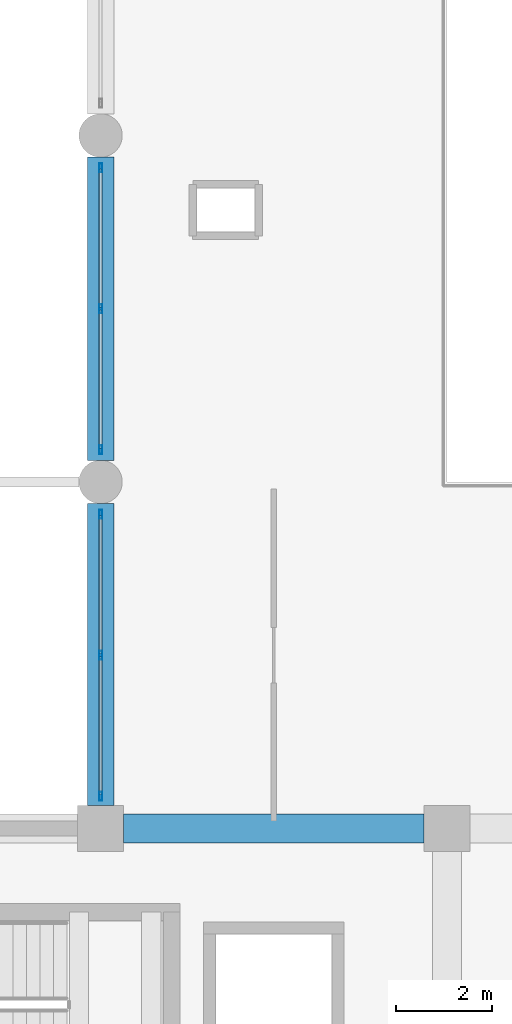
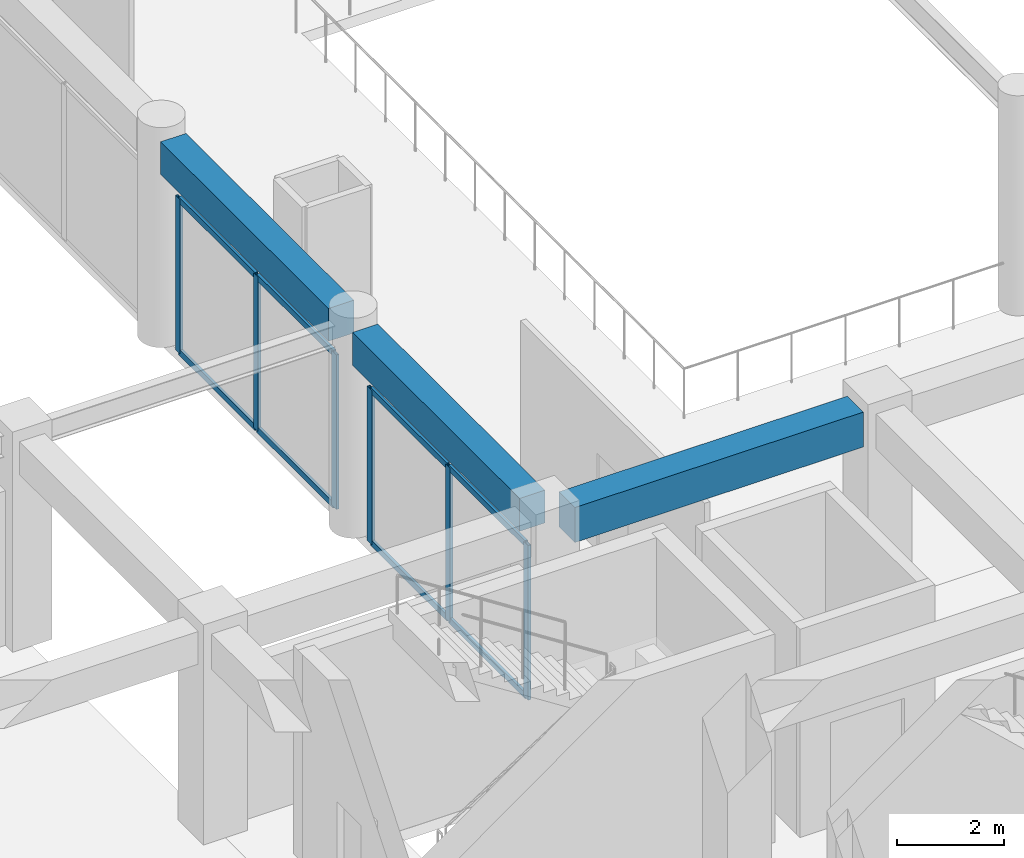
# One storey, part 7 of 54: 14 members, 3 beams, 2 elements without a shape of their own.
"""IFC4 building model written with IfcOpenShell, lengths in metres."""

import ifcopenshell
import ifcopenshell.guid

model = None  # the IFC model being written
_history = None  # IfcOwnerHistory: only IFC2X3 demands one
_inside = {}  # id of a spatial element -> (the spatial element, [elements in it])
_under = {}  # id of a project, library or spatial element -> (it, [spatial elements below it])
_declared = {}  # id of a project -> (the project, [libraries it declares])
_typed = {}  # id of a type object -> (the type object, [elements of that type])
_made_of = {}  # id of a material, layer set ... -> (it, [elements and type objects made of it])


def new_model(schema):
    """Start an empty IFC model of exactly this schema.

    Asked for "IFC4X3", IfcOpenShell would pick the latest addendum, in which some entities
    have other attributes; the version numbers below select the first issue.
    IFC2X3 requires an IfcOwnerHistory on every rooted entity: one is made here for all.
    """
    global model, _history
    if schema == "IFC4X3":
        model = ifcopenshell.file(schema_version=(4, 3, 0, 0))
    else:
        model = ifcopenshell.file(schema=schema)
    _inside.clear()
    _under.clear()
    _declared.clear()
    _typed.clear()
    _made_of.clear()
    _history = None
    if model.schema == "IFC2X3":
        org = make("IfcOrganization", Name="unknown")
        user = make(
            "IfcPersonAndOrganization",
            ThePerson=make("IfcPerson", FamilyName="unknown"),
            TheOrganization=org,
        )
        app = make(
            "IfcApplication",
            ApplicationDeveloper=org,
            Version="unknown",
            ApplicationFullName="unknown",
            ApplicationIdentifier="unknown",
        )
        _history = make(
            "IfcOwnerHistory",
            OwningUser=user,
            OwningApplication=app,
            ChangeAction="ADDED",
            CreationDate=0,
        )
    return model


def make(cls, **values):
    """One entity of the class cls with the attributes given. An attribute that is None is left unset."""
    return model.create_entity(
        cls, **{name: value for name, value in values.items() if value is not None}
    )


def rooted(cls, **values):
    """An entity with a GlobalId (a new one), such as an element, a storey or a relation."""
    return make(cls, GlobalId=ifcopenshell.guid.new(), OwnerHistory=_history, **values)


def si_unit(unit_type, name, prefix=None):
    """IfcSIUnit, for example si_unit("LENGTHUNIT", "METRE", prefix="MILLI")."""
    return make("IfcSIUnit", UnitType=unit_type, Prefix=prefix, Name=name)


def assignment(units):
    """IfcUnitAssignment: the units of a project."""
    return None if units is None else make("IfcUnitAssignment", Units=units)


def point(xyz):
    """IfcCartesianPoint."""
    return None if xyz is None else make("IfcCartesianPoint", Coordinates=xyz)


def direction(xyz):
    """IfcDirection."""
    return None if xyz is None else make("IfcDirection", DirectionRatios=xyz)


def frame(location, z_axis=None, x_axis=None):
    """IfcAxis2Placement3D, a coordinate frame: its origin and axes. An axis left out is left unset."""
    return make(
        "IfcAxis2Placement3D",
        Location=point(location),
        Axis=direction(z_axis),
        RefDirection=direction(x_axis),
    )


def frame_2d(location, x_axis=None):
    """IfcAxis2Placement2D, a coordinate frame in the plane: its origin and x axis."""
    return make(
        "IfcAxis2Placement2D", Location=point(location), RefDirection=direction(x_axis)
    )


def origin():
    """The frame at (0, 0, 0) with its axes left unset."""
    return frame((0.0, 0.0, 0.0))


def origin_2d():
    """The frame at (0, 0) in the plane with its x axis left unset."""
    return frame_2d((0.0, 0.0))


def place(relative_to, where):
    """IfcLocalPlacement: puts the frame where relative to a parent placement (None: the world)."""
    return make(
        "IfcLocalPlacement", PlacementRelTo=relative_to, RelativePlacement=where
    )


def context(
    kind, dimensions, precision=None, world=None, true_north=None, identifier=None
):
    """IfcGeometricRepresentationContext, for example the 3D "Model" context."""
    return make(
        "IfcGeometricRepresentationContext",
        ContextIdentifier=identifier,
        ContextType=kind,
        CoordinateSpaceDimension=dimensions,
        Precision=precision,
        WorldCoordinateSystem=world,
        TrueNorth=true_north,
    )


def subcontext(parent, identifier, kind, view, scale=None):
    """IfcGeometricRepresentationSubContext, for example "Body" below "Model"."""
    return make(
        "IfcGeometricRepresentationSubContext",
        ContextIdentifier=identifier,
        ContextType=kind,
        ParentContext=parent,
        TargetScale=scale,
        TargetView=view,
    )


def project(units=None, contexts=None):
    """IfcProject with its units and contexts."""
    return rooted(
        "IfcProject",
        Name="project",
        RepresentationContexts=contexts,
        UnitsInContext=assignment(units),
    )


def spatial(cls, under=None, at=None, **own):
    """A site, building, storey or space (cls), placed at a placement, below another one or the project."""
    s = rooted(cls, ObjectPlacement=at, **own)
    if under is not None:
        _under.setdefault(under.id(), (under, []))[1].append(s)
    return s


def profile(cls, at=None, kind="AREA", **sizes):
    """A parametric profile (cls). Its sizes go by their IFC names, for example OverallWidth=200.0."""
    return make(cls, ProfileType=kind, Position=at, **sizes)


def rectangle(**sizes):
    """IfcRectangleProfileDef."""
    return profile("IfcRectangleProfileDef", **sizes)


def hollow_rectangle(**sizes):
    """IfcRectangleHollowProfileDef."""
    return profile("IfcRectangleHollowProfileDef", **sizes)


def extrude(swept, where, along, depth):
    """IfcExtrudedAreaSolid: the profile swept, set in the frame where, extruded along a direction by depth."""
    return make(
        "IfcExtrudedAreaSolid",
        SweptArea=swept,
        Position=where,
        ExtrudedDirection=direction(along),
        Depth=depth,
    )


def shape(context_of_items, identifier, shape_type, items):
    """IfcShapeRepresentation: the items that make up one representation, for example the "Body"."""
    return make(
        "IfcShapeRepresentation",
        ContextOfItems=context_of_items,
        RepresentationIdentifier=identifier,
        RepresentationType=shape_type,
        Items=items,
    )


def material(Name=None, Category=None):
    """IfcMaterial."""
    return make("IfcMaterial", Name=Name, Category=Category)


def material_profile(
    of_material, cross_section, Name=None, Category=None, Priority=None
):
    """IfcMaterialProfile: a cross section and its material."""
    return make(
        "IfcMaterialProfile",
        Name=Name,
        Material=of_material,
        Profile=cross_section,
        Priority=Priority,
        Category=Category,
    )


def profile_set(profiles, Name=None, composite=None):
    """IfcMaterialProfileSet."""
    return make(
        "IfcMaterialProfileSet",
        Name=Name,
        MaterialProfiles=profiles,
        CompositeProfile=composite,
    )


def made_of(thing, what):
    """Note that an element or type object is made of a material, layer set ...; save() writes the relation."""
    if what is not None:
        _made_of.setdefault(what.id(), (what, []))[1].append(thing)
    return thing


def type_object(cls, material=None, **own):
    """A type object (cls), such as IfcWallType, which elements share."""
    return made_of(rooted(cls, **own), material)


def element(
    cls,
    number,
    at=None,
    inside=None,
    cuts=None,
    type_object=None,
    material=None,
    context=None,
    identifier="Body",
    shape_type=None,
    held_by="IfcProductDefinitionShape",
    body=None,
    shapes=None,
    **own,
):
    """One element of the class cls, such as IfcWall. Its Tag is "e" and its number.

    at: its placement. inside: the storey or other place that contains it. cuts: it is an
    opening in that element (IfcRelVoidsElement). A single representation is given by context,
    identifier, shape_type and body (its items); several are given by shapes. held_by: the class
    of the entity that holds the representations. save() writes the other relations.
    """
    e = rooted(cls, Tag="e%d" % number, ObjectPlacement=at, **own)
    if body is not None:
        shapes = [shape(context, identifier, shape_type, body)]
    if shapes is not None:
        e.Representation = make(held_by, Representations=shapes)
    if inside is not None:
        _inside.setdefault(inside.id(), (inside, []))[1].append(e)
    if cuts is not None:
        rooted(
            "IfcRelVoidsElement", RelatingBuildingElement=cuts, RelatedOpeningElement=e
        )
    if type_object is not None:
        _typed.setdefault(type_object.id(), (type_object, []))[1].append(e)
    return made_of(e, material)


def aggregate(whole, parts):
    """IfcRelAggregates: a whole, such as a stair, and the parts it consists of."""
    return rooted("IfcRelAggregates", RelatingObject=whole, RelatedObjects=parts)


def save(model, path):
    """Write the relations noted so far, then the file.

    IfcRelAggregates (storeys below a building ...), IfcRelContainedInSpatialStructure (elements
    in a storey), IfcRelDefinesByType, IfcRelAssociatesMaterial and IfcRelDeclares: one each for
    every whole, place, type object, material and project.
    """
    for whole, parts in _under.values():
        aggregate(whole, parts)
    for where, things in _inside.values():
        rooted(
            "IfcRelContainedInSpatialStructure",
            RelatedElements=things,
            RelatingStructure=where,
        )
    for kind, things in _typed.values():
        rooted("IfcRelDefinesByType", RelatedObjects=things, RelatingType=kind)
    for what, things in _made_of.values():
        rooted("IfcRelAssociatesMaterial", RelatedObjects=things, RelatingMaterial=what)
    for by, libraries in _declared.values():
        rooted("IfcRelDeclares", RelatingContext=by, RelatedDefinitions=libraries)
    model.write(path)


model = new_model("IFC4")

# Units and contexts
model_context = context("Model", 3, precision=1e-05, world=origin(), true_north=direction((0.0, 1.0)))
body_context = subcontext(model_context, "Body", "Model", "MODEL_VIEW")
ifc_project = project(units=[si_unit("LENGTHUNIT", "METRE"), si_unit("AREAUNIT", "SQUARE_METRE"), si_unit("VOLUMEUNIT", "CUBIC_METRE"), si_unit("PLANEANGLEUNIT", "RADIAN"), si_unit("MASSUNIT", "GRAM", prefix="KILO")], contexts=[model_context])

# Site, building, storey
site_placement = place(None, origin())
site = spatial("IfcSite", under=ifc_project, at=site_placement, CompositionType="ELEMENT")
building_placement = place(site_placement, origin())
building = spatial("IfcBuilding", under=site, at=building_placement, Name="Kazehaya Institute of Natural Sciences", CompositionType="ELEMENT")
storey_placement = place(building_placement, frame((0.0, 0.0, 5.39990234375)))
storey = spatial("IfcBuildingStorey", under=building, at=storey_placement, Name="L01", CompositionType="ELEMENT", Elevation=5.39990234375)

# Beams
ifc_material_1 = material(Name="Concrete Fc36", Category="concrete")
ifc_material_profile_1 = material_profile(ifc_material_1, rectangle(XDim=0.550048828125, YDim=0.75, at=origin_2d()), Name="RC-550x750")
ifc_profile_set_1 = profile_set([ifc_material_profile_1], Name="Concrete Fc36")
beam_type_1 = type_object("IfcBeamType", Name="BM-G-550x750", PredefinedType="BEAM", material=ifc_profile_set_1)
beam_1_placement = place(storey_placement, frame((61.800048828125, 36.074951171875, 4.39501953125), z_axis=(0.0, 1.0, 0.0), x_axis=(-1.0, 0.0, 0.0)))
element("IfcBeam", 1, at=beam_1_placement, inside=storey, type_object=beam_type_1, Name="L01 primary Y girder BMY-L01-618-356", PredefinedType="BEAM", context=body_context, shape_type="SweptSolid", body=[
    extrude(rectangle(XDim=0.550048828125, YDim=0.75, at=origin_2d()), origin(), (0.0, 0.0, 1.0), 6.275146484375),
])
beam_2_placement = place(storey_placement, frame((61.800048828125, 43.25, 4.39501953125), z_axis=(0.0, 1.0, 0.0), x_axis=(-1.0, 0.0, 0.0)))
element("IfcBeam", 2, at=beam_2_placement, inside=storey, type_object=beam_type_1, Name="L01 primary Y girder BMY-L01-618-428", PredefinedType="BEAM", context=body_context, shape_type="SweptSolid", body=[
    extrude(rectangle(XDim=0.550048828125, YDim=0.75, at=origin_2d()), origin(), (0.0, 0.0, 1.0), 6.300048828125),
])
ifc_material_profile_2 = material_profile(ifc_material_1, rectangle(XDim=0.60009765625, YDim=0.800048828125, at=origin_2d()), Name="RC-600x800")
ifc_profile_set_2 = profile_set([ifc_material_profile_2], Name="Concrete Fc36")
beam_type_2 = type_object("IfcBeamType", Name="BM-G-600x800", PredefinedType="BEAM", material=ifc_profile_set_2)
beam_3_placement = place(storey_placement, frame((62.27490234375, 35.60009765625, 4.3701171875), z_axis=(1.0, 0.0, 0.0), x_axis=(0.0, 1.0, 0.0)))
element("IfcBeam", 3, at=beam_3_placement, inside=storey, type_object=beam_type_2, Name="L01 primary X girder BMX-L01-618-356", PredefinedType="BEAM", context=body_context, shape_type="SweptSolid", body=[
    extrude(rectangle(XDim=0.60009765625, YDim=0.800048828125, at=origin_2d()), origin(), (0.0, 0.0, 1.0), 6.25),
])

# Curtain wall, members
ifc_material_2 = material(Name="Aluminium alloy A6063S-T5", Category="aluminium")
curtain_wall_type = type_object("IfcCurtainWallType", Name="CW-SYS-02", PredefinedType="NOTDEFINED", material=ifc_material_2)
curtain_wall_1_placement = place(storey_placement, origin())
curtain_wall_1 = element("IfcCurtainWall", 4, at=curtain_wall_1_placement, inside=storey, type_object=curtain_wall_type, Name="L01 unitised curtain wall CW-L01-015", PredefinedType="NOTDEFINED")
ifc_material_profile_3 = material_profile(ifc_material_2, hollow_rectangle(XDim=0.06005859375, YDim=0.179931640625, WallThickness=0.00390625, at=origin_2d()), Name="ALU-60x180x4")
ifc_profile_set_3 = profile_set([ifc_material_profile_3], Name="Aluminium alloy A6063S-T5")
member_type_1 = type_object("IfcMemberType", Name="CWM-180", PredefinedType="MULLION", material=ifc_profile_set_3)
member_1_placement = place(storey_placement, frame((61.800048828125, 36.27001953125, 0.0), z_axis=(0.0, 0.0, 1.0), x_axis=(-1.0, 0.0, 0.0)))
member_1 = element("IfcMember", 5, at=member_1_placement, type_object=member_type_1, Name="CW02 mullion 1", PredefinedType="MULLION", context=body_context, shape_type="SweptSolid", body=[
    extrude(hollow_rectangle(XDim=0.06005859375, YDim=0.179931640625, WallThickness=0.00390625, at=origin_2d()), origin(), (0.0, 0.0, 1.0), 3.5400390625),
])
member_2_placement = place(storey_placement, frame((61.800048828125, 39.199951171875, 0.0), z_axis=(0.0, 0.0, 1.0), x_axis=(-1.0, 0.0, 0.0)))
member_2 = element("IfcMember", 6, at=member_2_placement, type_object=member_type_1, Name="CW02 mullion 2", PredefinedType="MULLION", context=body_context, shape_type="SweptSolid", body=[
    extrude(hollow_rectangle(XDim=0.06005859375, YDim=0.179931640625, WallThickness=0.00390625, at=origin_2d()), origin(), (0.0, 0.0, 1.0), 3.5400390625),
])
member_3_placement = place(storey_placement, frame((61.800048828125, 42.1298828125, 0.0), z_axis=(0.0, 0.0, 1.0), x_axis=(-1.0, 0.0, 0.0)))
member_3 = element("IfcMember", 7, at=member_3_placement, type_object=member_type_1, Name="CW02 mullion 3", PredefinedType="MULLION", context=body_context, shape_type="SweptSolid", body=[
    extrude(hollow_rectangle(XDim=0.06005859375, YDim=0.179931640625, WallThickness=0.00390625, at=origin_2d()), origin(), (0.0, 0.0, 1.0), 3.5400390625),
])

curtain_wall_2_placement = place(storey_placement, origin())
curtain_wall_2 = element("IfcCurtainWall", 8, at=curtain_wall_2_placement, inside=storey, type_object=curtain_wall_type, Name="L01 unitised curtain wall CW-L01-017", PredefinedType="NOTDEFINED")
member_4_placement = place(storey_placement, frame((61.800048828125, 43.469970703125, 0.0), z_axis=(0.0, 0.0, 1.0), x_axis=(-1.0, 0.0, 0.0)))
member_4 = element("IfcMember", 9, at=member_4_placement, type_object=member_type_1, Name="CW02 mullion 1", PredefinedType="MULLION", context=body_context, shape_type="SweptSolid", body=[
    extrude(hollow_rectangle(XDim=0.06005859375, YDim=0.179931640625, WallThickness=0.00390625, at=origin_2d()), origin(), (0.0, 0.0, 1.0), 3.5400390625),
])
member_5_placement = place(storey_placement, frame((61.800048828125, 46.39990234375, 0.0), z_axis=(0.0, 0.0, 1.0), x_axis=(-1.0, 0.0, 0.0)))
member_5 = element("IfcMember", 10, at=member_5_placement, type_object=member_type_1, Name="CW02 mullion 2", PredefinedType="MULLION", context=body_context, shape_type="SweptSolid", body=[
    extrude(hollow_rectangle(XDim=0.06005859375, YDim=0.179931640625, WallThickness=0.00390625, at=origin_2d()), origin(), (0.0, 0.0, 1.0), 3.5400390625),
])
member_6_placement = place(storey_placement, frame((61.800048828125, 49.330078125, 0.0), z_axis=(0.0, 0.0, 1.0), x_axis=(-1.0, 0.0, 0.0)))
member_6 = element("IfcMember", 11, at=member_6_placement, type_object=member_type_1, Name="CW02 mullion 3", PredefinedType="MULLION", context=body_context, shape_type="SweptSolid", body=[
    extrude(hollow_rectangle(XDim=0.06005859375, YDim=0.179931640625, WallThickness=0.00390625, at=origin_2d()), origin(), (0.0, 0.0, 1.0), 3.5400390625),
])

# Member
ifc_material_profile_4 = material_profile(ifc_material_2, hollow_rectangle(XDim=0.06005859375, YDim=0.139892578125, WallThickness=0.00341796875, at=origin_2d()), Name="ALU-60x140x3.5")
ifc_profile_set_4 = profile_set([ifc_material_profile_4], Name="Aluminium alloy A6063S-T5")
member_type_2 = type_object("IfcMemberType", Name="CWT-140", PredefinedType="USERDEFINED", material=ifc_profile_set_4)
member_7_placement = place(storey_placement, frame((61.800048828125, 36.300048828125, 0.030029296875), z_axis=(0.0, 1.0, 0.0), x_axis=(-1.0, 0.0, 0.0)))
member_7 = element("IfcMember", 12, at=member_7_placement, type_object=member_type_2, Name="CW02 transom 1.1", ObjectType="TRANSOM", PredefinedType="USERDEFINED", context=body_context, shape_type="SweptSolid", body=[
    extrude(hollow_rectangle(XDim=0.06005859375, YDim=0.139892578125, WallThickness=0.00341796875, at=origin_2d()), origin(), (0.0, 0.0, 1.0), 2.869873046875),
])

member_8_placement = place(storey_placement, frame((61.800048828125, 36.300048828125, 3.510009765625), z_axis=(0.0, 1.0, 0.0), x_axis=(-1.0, 0.0, 0.0)))
member_8 = element("IfcMember", 13, at=member_8_placement, type_object=member_type_2, Name="CW02 transom 1.2", ObjectType="TRANSOM", PredefinedType="USERDEFINED", context=body_context, shape_type="SweptSolid", body=[
    extrude(hollow_rectangle(XDim=0.06005859375, YDim=0.139892578125, WallThickness=0.00341796875, at=origin_2d()), origin(), (0.0, 0.0, 1.0), 2.869873046875),
])

member_9_placement = place(storey_placement, frame((61.800048828125, 39.22998046875, 0.030029296875), z_axis=(0.0, 1.0, 0.0), x_axis=(-1.0, 0.0, 0.0)))
member_9 = element("IfcMember", 14, at=member_9_placement, type_object=member_type_2, Name="CW02 transom 2.1", ObjectType="TRANSOM", PredefinedType="USERDEFINED", context=body_context, shape_type="SweptSolid", body=[
    extrude(hollow_rectangle(XDim=0.06005859375, YDim=0.139892578125, WallThickness=0.00341796875, at=origin_2d()), origin(), (0.0, 0.0, 1.0), 2.8701171875),
])

member_10_placement = place(storey_placement, frame((61.800048828125, 39.22998046875, 3.510009765625), z_axis=(0.0, 1.0, 0.0), x_axis=(-1.0, 0.0, 0.0)))
member_10 = element("IfcMember", 15, at=member_10_placement, type_object=member_type_2, Name="CW02 transom 2.2", ObjectType="TRANSOM", PredefinedType="USERDEFINED", context=body_context, shape_type="SweptSolid", body=[
    extrude(hollow_rectangle(XDim=0.06005859375, YDim=0.139892578125, WallThickness=0.00341796875, at=origin_2d()), origin(), (0.0, 0.0, 1.0), 2.8701171875),
])

aggregate(curtain_wall_1, [member_1, member_2, member_3, member_7, member_8, member_9, member_10])

member_11_placement = place(storey_placement, frame((61.800048828125, 43.5, 0.030029296875), z_axis=(0.0, 1.0, 0.0), x_axis=(-1.0, 0.0, 0.0)))
member_11 = element("IfcMember", 16, at=member_11_placement, type_object=member_type_2, Name="CW02 transom 1.1", ObjectType="TRANSOM", PredefinedType="USERDEFINED", context=body_context, shape_type="SweptSolid", body=[
    extrude(hollow_rectangle(XDim=0.06005859375, YDim=0.139892578125, WallThickness=0.00341796875, at=origin_2d()), origin(), (0.0, 0.0, 1.0), 2.8701171875),
])

member_12_placement = place(storey_placement, frame((61.800048828125, 43.5, 3.510009765625), z_axis=(0.0, 1.0, 0.0), x_axis=(-1.0, 0.0, 0.0)))
member_12 = element("IfcMember", 17, at=member_12_placement, type_object=member_type_2, Name="CW02 transom 1.2", ObjectType="TRANSOM", PredefinedType="USERDEFINED", context=body_context, shape_type="SweptSolid", body=[
    extrude(hollow_rectangle(XDim=0.06005859375, YDim=0.139892578125, WallThickness=0.00341796875, at=origin_2d()), origin(), (0.0, 0.0, 1.0), 2.8701171875),
])

member_13_placement = place(storey_placement, frame((61.800048828125, 46.429931640625, 0.030029296875), z_axis=(0.0, 1.0, 0.0), x_axis=(-1.0, 0.0, 0.0)))
member_13 = element("IfcMember", 18, at=member_13_placement, type_object=member_type_2, Name="CW02 transom 2.1", ObjectType="TRANSOM", PredefinedType="USERDEFINED", context=body_context, shape_type="SweptSolid", body=[
    extrude(hollow_rectangle(XDim=0.06005859375, YDim=0.139892578125, WallThickness=0.00341796875, at=origin_2d()), origin(), (0.0, 0.0, 1.0), 2.8701171875),
])

member_14_placement = place(storey_placement, frame((61.800048828125, 46.429931640625, 3.510009765625), z_axis=(0.0, 1.0, 0.0), x_axis=(-1.0, 0.0, 0.0)))
member_14 = element("IfcMember", 19, at=member_14_placement, type_object=member_type_2, Name="CW02 transom 2.2", ObjectType="TRANSOM", PredefinedType="USERDEFINED", context=body_context, shape_type="SweptSolid", body=[
    extrude(hollow_rectangle(XDim=0.06005859375, YDim=0.139892578125, WallThickness=0.00341796875, at=origin_2d()), origin(), (0.0, 0.0, 1.0), 2.8701171875),
])

aggregate(curtain_wall_2, [member_4, member_5, member_6, member_11, member_12, member_13, member_14])

save(model, "model.ifc")
